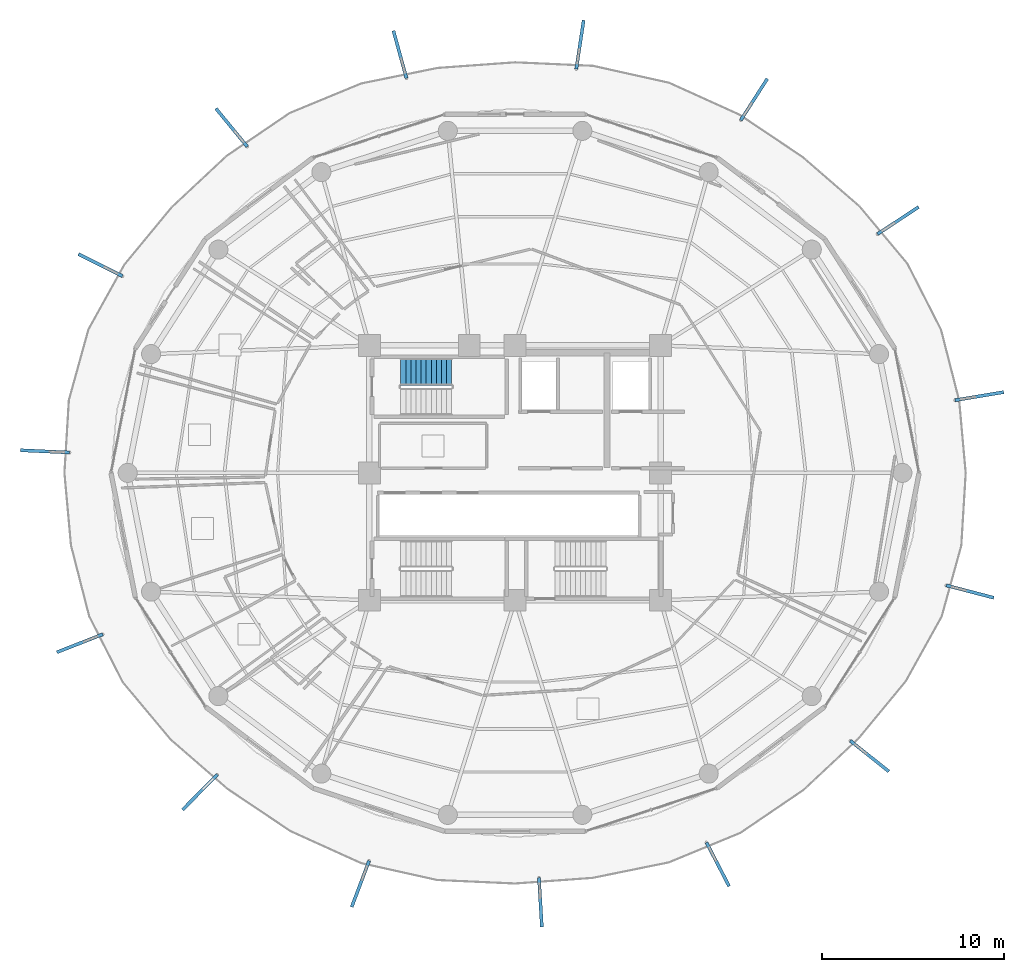
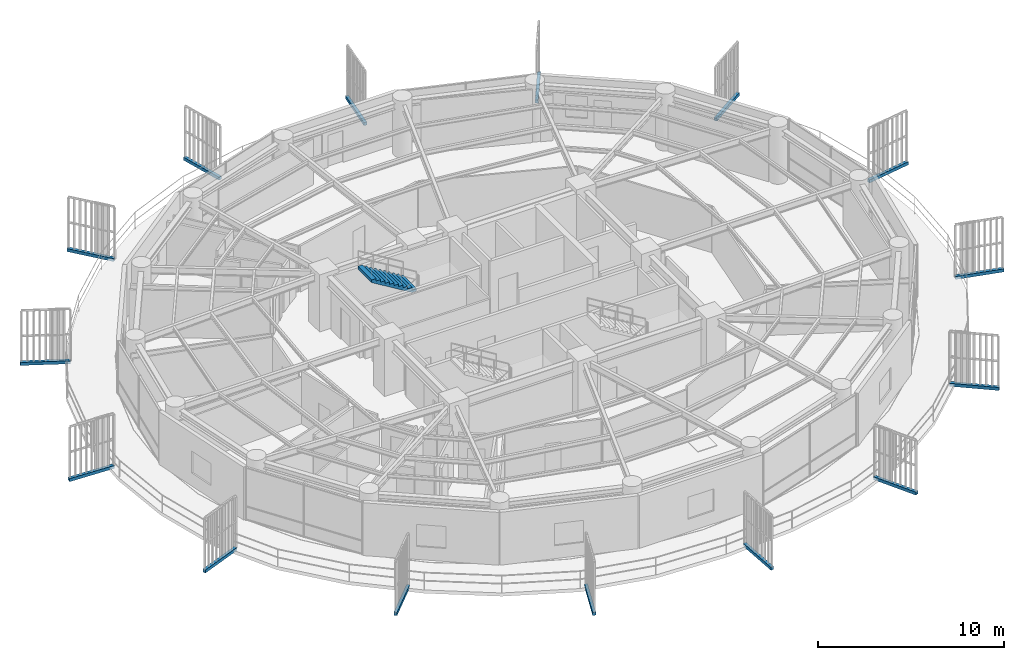
# One storey, part 26 of 30: 15 discrete accessories, 1 stair flight, 1 element without a shape of its own.
"""IFC4 building model written with IfcOpenShell, lengths in metres."""

from ifc_helpers import new_model, si_unit, direction, frame, origin, origin_2d, place, context, subcontext, project, spatial, polyline, rectangle, outline, extrude, source, transform, mapped, material, type_object, element, aggregate, save


model = new_model("IFC4")

# Units and contexts
model_context = context("Model", 3, precision=1e-05, world=origin(), true_north=direction((0.0, 1.0)))
body_context = subcontext(model_context, "Body", "Model", "MODEL_VIEW")
ifc_project = project(units=[si_unit("LENGTHUNIT", "METRE"), si_unit("AREAUNIT", "SQUARE_METRE"), si_unit("VOLUMEUNIT", "CUBIC_METRE"), si_unit("PLANEANGLEUNIT", "RADIAN"), si_unit("MASSUNIT", "GRAM", prefix="KILO")], contexts=[model_context])

# Site, building, storey
site_placement = place(None, origin())
site = spatial("IfcSite", under=ifc_project, at=site_placement, CompositionType="ELEMENT")
building_placement = place(site_placement, origin())
building = spatial("IfcBuilding", under=site, at=building_placement, Name="Kelanora Arch Commons", CompositionType="ELEMENT")
storey_placement = place(building_placement, frame((0.0, 0.0, 208.199951171875)))
storey = spatial("IfcBuildingStorey", under=building, at=storey_placement, Name="L53", CompositionType="ELEMENT", Elevation=208.199951171875)

# Stair, stair flight
ifc_material_1 = material(Name="Concrete C40/50", Category="concrete")
stair_type = type_object("IfcStairType", Name="STR-DL-375", PredefinedType="HALF_TURN_STAIR", material=ifc_material_1)
stair_placement = place(storey_placement, origin())
stair = element("IfcStair", 1, at=stair_placement, inside=storey, type_object=stair_type, Name="L53 ST-T1", PredefinedType="HALF_TURN_STAIR")
stair_flight_type = type_object("IfcStairFlightType", Name="FLT-DL-375", PredefinedType="STRAIGHT", material=ifc_material_1)
stair_flight_placement = place(storey_placement, frame((70.52001953125, 63.550048828125, 1.875), z_axis=(0.0, 0.0, 1.0), x_axis=(-1.0, 0.0, 0.0)))
stair_flight = element("IfcStairFlight", 2, at=stair_flight_placement, type_object=stair_flight_type, Name="ST-T1 flight 2", NumberOfRisers=11, NumberOfTreads=10, PredefinedType="STRAIGHT", RiserHeight=0.170454545, TreadLength=0.28, context=body_context, shape_type="SweptSolid", body=[
    extrude(outline(polyline([(0.0, 0.0), (0.0, 0.17041015625), (0.280029296875, 0.17041015625), (0.280029296875, 0.3408203125), (0.56005859375, 0.3408203125), (0.56005859375, 0.511474609375), (0.840087890625, 0.511474609375), (0.840087890625, 0.681884765625), (1.1201171875, 0.681884765625), (1.1201171875, 0.852294921875), (1.39990234375, 0.852294921875), (1.39990234375, 1.022705078125), (1.679931640625, 1.022705078125), (1.679931640625, 1.193115234375), (1.9599609375, 1.193115234375), (1.9599609375, 1.363525390625), (2.239990234375, 1.363525390625), (2.239990234375, 1.5341796875), (2.52001953125, 1.5341796875), (2.52001953125, 1.70458984375), (2.800048828125, 1.70458984375), (2.800048828125, 1.875), (2.800048828125, 1.529052734375), (0.288330078125, 0.0), (0.0, 0.0)])), frame((0.0, 0.739990234375, 0.0), z_axis=(0.0, -1.0, 0.0), x_axis=(1.0, 0.0, 0.0)), (0.0, 0.0, 1.0), 1.47998046875),
])
aggregate(stair, [stair_flight])

# Discrete accessories
ifc_material_2 = material(Name="Stainless steel 316 marine fin bracket", Category="steel")
discrete_accessory_type = type_object("IfcDiscreteAccessoryType", Name="ACC-FIN-BRK", PredefinedType="BRACKET", material=ifc_material_2)
shared_shape = source(origin(), body_context, "Body", "SweptSolid", [
    extrude(rectangle(XDim=2.710693359375, YDim=0.179931640625, at=origin_2d()), origin(), (0.0, 0.0, 1.0), 0.199951171875),
])
for number, where, z_axis, x_axis, name in (
    (3, (93.476806640625, 42.440673828125, -0.16015625), (0.0, 0.0, 1.0), (0.781302649748, -0.624152360803, 0.0), "Sweeping Fin Cantilever Spine Bracket L53-00"),
    (4, (98.993896484375, 51.480224609375, -0.16015625), (0.0, 0.0, 1.0), (0.967621122723, -0.252407137104, 0.0), "Sweeping Fin Cantilever Spine Bracket L53-01"),
    (5, (99.505126953125, 62.213134765625, -0.16015625), (0.0, 0.0, 1.0), (0.986629113016, 0.162981573648, 0.0), "Sweeping Fin Cantilever Spine Bracket L53-02"),
    (6, (95.04345703125, 71.864990234375, -0.16015625), (0.0, 0.0, 1.0), (0.835039966425, 0.550189289674, 0.0), "Sweeping Fin Cantilever Spine Bracket L53-03"),
    (7, (87.12841796875, 78.512451171875, -0.16015625), (0.0, 0.0, 1.0), (0.539064823539, 0.842264279204, 0.0), "Sweeping Fin Cantilever Spine Bracket L53-04"),
    (8, (77.566650390625, 81.5283203125, -0.16015625), (0.0, 0.0, 1.0), (0.149880475413, 0.988704123128, 0.0), "Sweeping Fin Cantilever Spine Bracket L53-05"),
    (9, (67.677490234375, 80.985595703125, -0.16015625), (0.0, 0.0, 1.0), (-0.265219568533, 0.964188042068, 0.0), "Sweeping Fin Cantilever Spine Bracket L53-06"),
    (10, (58.42919921875, 76.9697265625, -0.16015625), (0.0, 0.0, 1.0), (-0.634460739636, 0.772955089162, 0.0), "Sweeping Fin Cantilever Spine Bracket L53-07"),
    (11, (51.223876953125, 69.415283203125, -0.16015625), (0.0, 0.0, 1.0), (-0.893997884961, 0.448071179262, 0.0), "Sweeping Fin Cantilever Spine Bracket L53-08"),
    (12, (48.17626953125, 59.181640625, -0.16015625), (0.0, 0.0, 1.0), (-0.99895467426, 0.04571169187, 0.0), "Sweeping Fin Cantilever Spine Bracket L53-09"),
    (13, (50.09130859375, 48.639892578125, -0.16015625), (0.0, 0.0, 1.0), (-0.931183125162, -0.364551762325, 0.0), "Sweeping Fin Cantilever Spine Bracket L53-10"),
    (14, (56.688720703125, 40.45751953125, -0.16015625), (0.0, 0.0, 1.0), (-0.70240155419, -0.711780904964, 0.0), "Sweeping Fin Cantilever Spine Bracket L53-11"),
    (15, (65.50390625, 35.420166015625, -0.16015625), (0.0, 0.0, 1.0), (-0.352168373381, -0.935936662809, 0.0), "Sweeping Fin Cantilever Spine Bracket L53-12"),
    (16, (75.3935546875, 34.404541015625, -0.16015625), (0.0, 0.0, 1.0), (0.058957918535, -0.998260468937, 0.0), "Sweeping Fin Cantilever Spine Bracket L53-13"),
    (17, (85.1396484375, 36.490966796875, -0.16015625), (0.0, 0.0, 1.0), (0.459889850721, -0.887975971074, 0.0), "Sweeping Fin Cantilever Spine Bracket L53-14"),
):
    element("IfcDiscreteAccessory", number, at=place(storey_placement, frame(where, z_axis=z_axis, x_axis=x_axis)), inside=storey, type_object=discrete_accessory_type, Name=name, PredefinedType="BRACKET", context=body_context, shape_type="MappedRepresentation", body=[
        mapped(shared_shape, transform((0.0, 0.0, 0.0), scale=1.0)),
    ])

save(model, "model.ifc")
